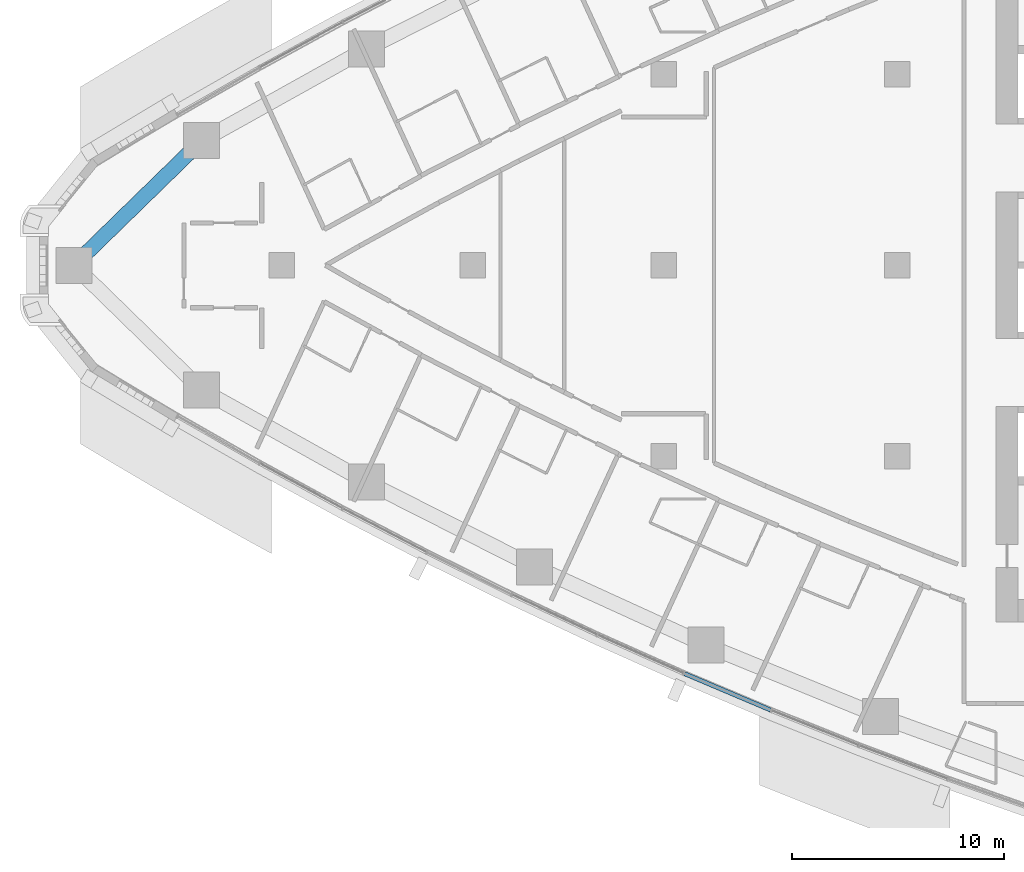
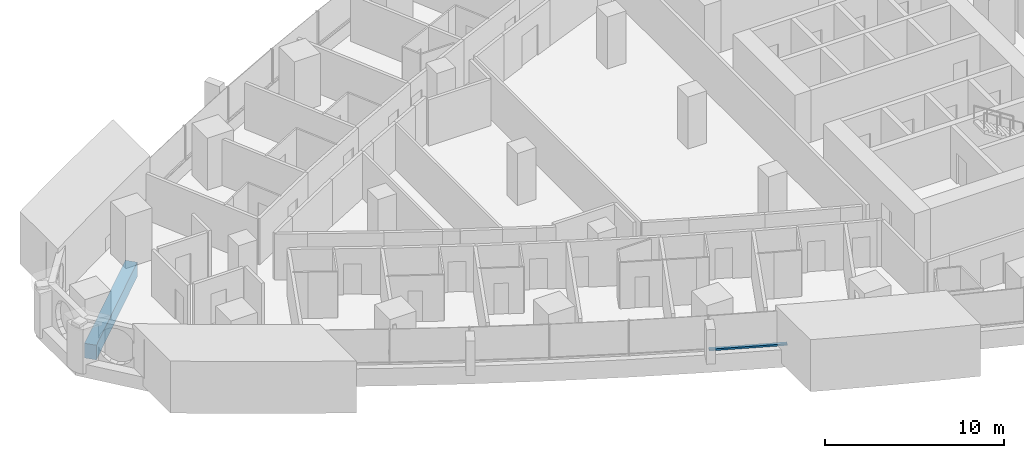
# One storey, part 3 of 17: 1 beam, 1 member, 1 element without a shape of its own.
"""IFC4 building model written with IfcOpenShell, lengths in metres."""

from ifc_helpers import new_model, si_unit, direction, frame, origin, origin_2d, place, context, subcontext, project, spatial, rectangle, extrude, material, layer, layer_set, material_profile, profile_set, type_object, element, aggregate, save


model = new_model("IFC4")

# Units and contexts
model_context = context("Model", 3, precision=1e-05, world=origin(), true_north=direction((0.0, 1.0)))
body_context = subcontext(model_context, "Body", "Model", "MODEL_VIEW")
ifc_project = project(units=[si_unit("LENGTHUNIT", "METRE"), si_unit("AREAUNIT", "SQUARE_METRE"), si_unit("VOLUMEUNIT", "CUBIC_METRE"), si_unit("PLANEANGLEUNIT", "RADIAN"), si_unit("MASSUNIT", "GRAM", prefix="KILO")], contexts=[model_context])

# Site, building, storey
site_placement = place(None, origin())
site = spatial("IfcSite", under=ifc_project, at=site_placement, CompositionType="ELEMENT")
building_placement = place(site_placement, origin())
building = spatial("IfcBuilding", under=site, at=building_placement, Name="Ostrand Prow Hotel Tower", CompositionType="ELEMENT")
storey_placement = place(building_placement, frame((0.0, 0.0, 116.85009765625)))
storey = spatial("IfcBuildingStorey", under=building, at=storey_placement, Name="L28", CompositionType="ELEMENT", Elevation=116.85009765625)

# Beam
ifc_material_1 = material(Name="Concrete C80/95", Category="concrete")
ifc_material_profile_1 = material_profile(ifc_material_1, rectangle(XDim=0.699951171875, YDim=1.0, at=origin_2d()), Name="RC 700x1000")
ifc_profile_set_1 = profile_set([ifc_material_profile_1], Name="Concrete C80/95")
beam_type = type_object("IfcBeamType", Name="Edge beam 700x1000 C80/95", PredefinedType="SPANDREL", material=ifc_profile_set_1)
beam_placement = place(storey_placement, frame((12.221435546875, 5.876220703125, -0.800048828125), z_axis=(-0.716082759826, -0.698015387423, 0.0), x_axis=(0.698015387423, -0.716082759826, 0.0)))
element("IfcBeam", 1, at=beam_placement, inside=storey, type_object=beam_type, Name="Edge beam N6-P", PredefinedType="SPANDREL", context=body_context, shape_type="SweptSolid", body=[
    extrude(rectangle(XDim=0.699951171875, YDim=1.0, at=origin_2d()), origin(), (0.0, 0.0, 1.0), 8.41845703125),
])

# Curtain wall, member
ifc_material_2 = material(Name="Insulated glass in bronze anodised frame", Category="glass")
ifc_layer = layer(ifc_material_2, 0.199951171875)
ifc_layer_set = layer_set([ifc_layer], Name="Insulated glass in bronze anodised frame")
curtain_wall_type = type_object("IfcCurtainWallType", Name="Strip curtain wall, fritted glass over bronze spandrel", PredefinedType="NOTDEFINED", material=ifc_layer_set)
curtain_wall_placement = place(storey_placement, origin())
curtain_wall = element("IfcCurtainWall", 2, at=curtain_wall_placement, inside=storey, type_object=curtain_wall_type, Name="CW1 run CWS4", PredefinedType="NOTDEFINED")
ifc_material_3 = material(Name="Bronze anodised aluminium", Category="aluminium")
ifc_material_profile_2 = material_profile(ifc_material_3, rectangle(XDim=0.199951171875, YDim=0.1201171875, at=origin_2d()), Name="Transom 120x200 bronze anodised aluminium")
ifc_profile_set_2 = profile_set([ifc_material_profile_2], Name="Bronze anodised aluminium")
member_type = type_object("IfcMemberType", Name="Transom 120x200 bronze anodised aluminium", PredefinedType="USERDEFINED", material=ifc_profile_set_2)
member_placement = place(storey_placement, frame((34.978271484375, -19.24462890625, 0.9599609375), z_axis=(0.921006250528, -0.389547797438, 0.0), x_axis=(0.389547797438, 0.921006250528, 0.0)))
member = element("IfcMember", 3, at=member_placement, type_object=member_type, Name="CW1 transom 1.1", ObjectType="TRANSOM", PredefinedType="USERDEFINED", context=body_context, shape_type="SweptSolid", body=[
    extrude(rectangle(XDim=0.199951171875, YDim=0.1201171875, at=origin_2d()), origin(), (0.0, 0.0, 1.0), 4.406005859375),
])
aggregate(curtain_wall, [member])

save(model, "model.ifc")
